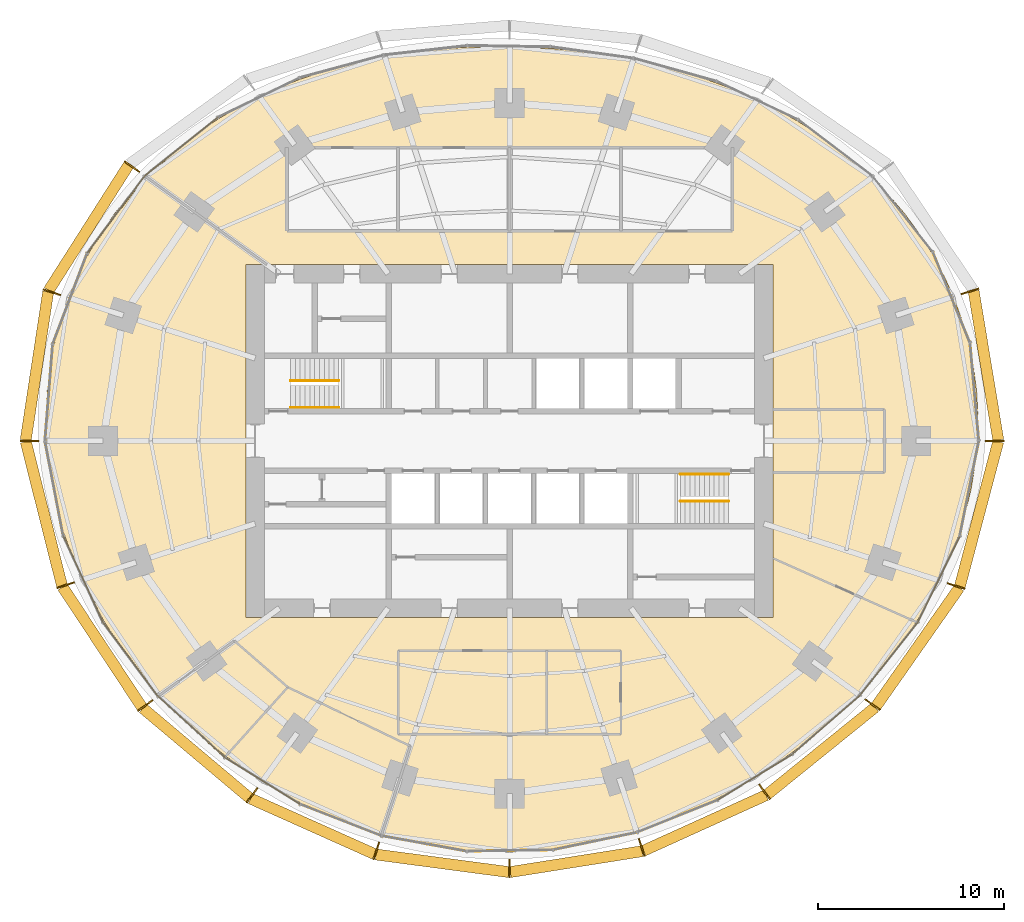
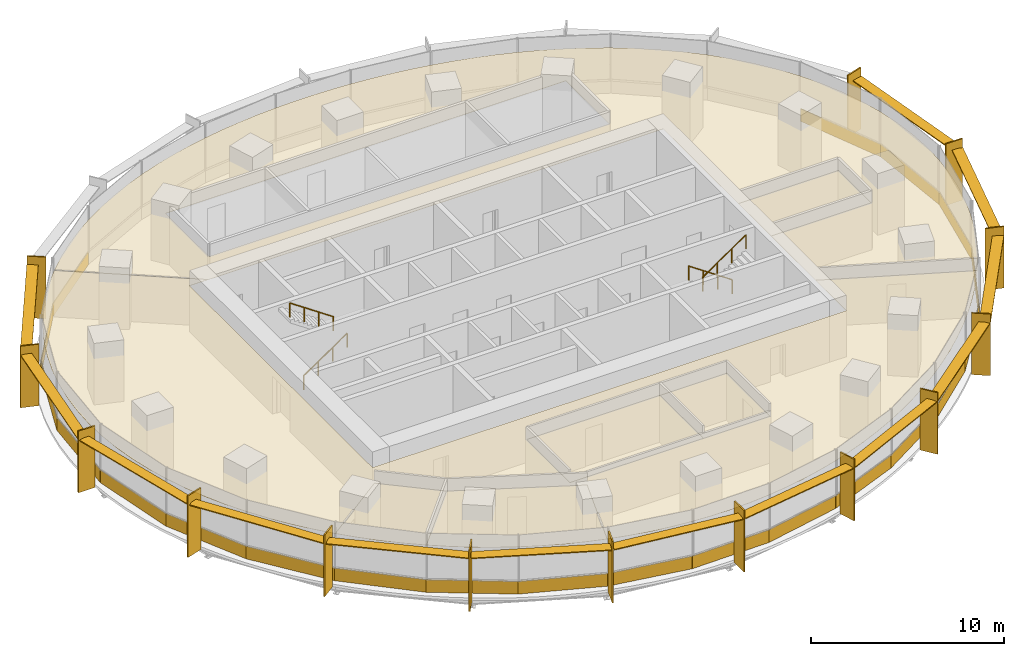
# One storey, part 13 of 14: 28 coverings, 27 shading devices, 4 railings.
"""IFC4 building model written with IfcOpenShell, lengths in metres."""

from ifc_helpers import new_model, si_unit, direction, frame, origin, origin_2d, place, context, subcontext, project, spatial, polyline, rectangle, circle, outline, extrude, material, layer, layer_set, type_object, element, save


model = new_model("IFC4")

# Units and contexts
model_context = context("Model", 3, precision=1e-05, world=origin(), true_north=direction((0.0, 1.0)))
body_context = subcontext(model_context, "Body", "Model", "MODEL_VIEW")
ifc_project = project(units=[si_unit("LENGTHUNIT", "METRE"), si_unit("AREAUNIT", "SQUARE_METRE"), si_unit("VOLUMEUNIT", "CUBIC_METRE"), si_unit("PLANEANGLEUNIT", "RADIAN"), si_unit("MASSUNIT", "GRAM", prefix="KILO")], contexts=[model_context])

# Site, building, storey
site_placement = place(None, origin())
site = spatial("IfcSite", under=ifc_project, at=site_placement, CompositionType="ELEMENT")
building_placement = place(site_placement, origin())
building = spatial("IfcBuilding", under=site, at=building_placement, Name="Marramba Exchange Tower", CompositionType="ELEMENT")
storey_placement = place(building_placement, frame((0.0, 0.0, 154.800048828125)))
storey = spatial("IfcBuildingStorey", under=building, at=storey_placement, Name="L37", CompositionType="ELEMENT", Elevation=154.800048828125)

# Shading devices
ifc_material_1 = material(Name="Aluminium blade, timber-look bronze finish", Category="wood")
ifc_layer_1 = layer(ifc_material_1, 0.080078125)
ifc_layer_set_1 = layer_set([ifc_layer_1], Name="Floor-edge blade 1000x80")
shading_device_type_1 = type_object("IfcShadingDeviceType", Name="Floor-edge blade 1000x80", PredefinedType="USERDEFINED", material=ifc_layer_set_1)
for number, where, z_axis, x_axis, name in (
    (1, (26.132080078125, 0.0, -0.159912109375), (0.0, 0.0, 1.0), (1.0, 0.0, 0.0), "Floor-edge blade FB1 L37 TC01"),
    (2, (24.798583984375, 8.0576171875, -0.159912109375), (0.0, 0.0, 1.0), (0.951056516295, 0.309016994375, 0.0), "Floor-edge blade FB1 L37 TC02"),
    (3, (-20.33642578125, 14.775390625, -0.159912109375), (0.0, 0.0, 1.0), (-0.809016994375, 0.587785252292, 0.0), "Floor-edge blade FB1 L37 TC09"),
    (4, (-24.653076171875, 8.01025390625, -0.159912109375), (0.0, 0.0, 1.0), (-0.951056516295, 0.309016994375, 0.0), "Floor-edge blade FB1 L37 TC10"),
    (5, (-25.867919921875, 0.0, -0.159912109375), (0.0, 0.0, 1.0), (-1.0, 0.0, 0.0), "Floor-edge blade FB1 L37 TC11"),
    (6, (-23.90673828125, -7.767822265625, -0.159912109375), (0.0, 0.0, 1.0), (-0.951056516295, -0.309016994375, 0.0), "Floor-edge blade FB1 L37 TC12"),
    (7, (-19.618408203125, -14.253662109375, -0.159912109375), (0.0, 0.0, 1.0), (-0.809016994375, -0.587785252292, 0.0), "Floor-edge blade FB1 L37 TC13"),
    (8, (-13.866943359375, -19.08642578125, -0.159912109375), (0.0, 0.0, 1.0), (-0.587785252292, -0.809016994375, 0.0), "Floor-edge blade FB1 L37 TC14"),
    (9, (-7.173828125, -22.078857421875, -0.159912109375), (0.0, 0.0, 1.0), (-0.309016994375, -0.951056516295, 0.0), "Floor-edge blade FB1 L37 TC15"),
    (10, (0.0, -23.02685546875, -0.159912109375), (0.0, 0.0, 1.0), (0.0, -1.0, 0.0), "Floor-edge blade FB1 L37 TC16"),
    (11, (7.115966796875, -21.900634765625, -0.159912109375), (0.0, 0.0, 1.0), (0.309016994375, -0.951056516295, 0.0), "Floor-edge blade FB1 L37 TC17"),
    (12, (13.733154296875, -18.902099609375, -0.159912109375), (0.0, 0.0, 1.0), (0.587785252292, -0.809016994375, 0.0), "Floor-edge blade FB1 L37 TC18"),
    (13, (19.555908203125, -14.208251953125, -0.159912109375), (0.0, 0.0, 1.0), (0.809016994375, -0.587785252292, 0.0), "Floor-edge blade FB1 L37 TC19"),
    (14, (24.052001953125, -7.81494140625, -0.159912109375), (0.0, 0.0, 1.0), (0.951056516295, -0.309016994375, 0.0), "Floor-edge blade FB1 L37 TC20"),
):
    element("IfcShadingDevice", number, at=place(storey_placement, frame(where, z_axis=z_axis, x_axis=x_axis)), inside=storey, type_object=shading_device_type_1, Name=name, ObjectType="FIN", PredefinedType="USERDEFINED", context=body_context, shape_type="SweptSolid", body=[
        extrude(rectangle(XDim=1.0, YDim=0.080078125, at=origin_2d()), origin(), (0.0, 0.0, 1.0), 3.89990234375),
    ])
ifc_material_2 = material(Name="Aluminium sunshade, bronze anodised", Category="aluminium")
ifc_layer_2 = layer(ifc_material_2, 0.06005859375)
ifc_layer_set_2 = layer_set([ifc_layer_2], Name="SUNSHADE blade 600x60")
shading_device_type_2 = type_object("IfcShadingDeviceType", Name="SUNSHADE blade 600x60", PredefinedType="USERDEFINED", material=ifc_layer_set_2)
shading_device_1_placement = place(storey_placement, frame((25.660400390625, 4.0595703125, 3.159912109375), z_axis=(0.0, 0.0, 1.0), x_axis=(-0.163227675764, 0.986588427798, 0.0)))
element("IfcShadingDevice", 15, at=shading_device_1_placement, inside=storey, type_object=shading_device_type_2, Name="Sunshade SS1 L37 bay 01", ObjectType="SUNSHADE", PredefinedType="USERDEFINED", context=body_context, shape_type="SweptSolid", body=[
    extrude(rectangle(XDim=8.149658203125, YDim=0.60009765625, at=origin_2d()), origin(), (0.0, 0.0, 1.0), 0.06005859375),
])
shading_device_2_placement = place(storey_placement, frame((-22.6708984375, 11.482421875, 3.159912109375), z_axis=(0.0, 0.0, 1.0), x_axis=(-0.537284770546, -0.843400898351, 0.0)))
element("IfcShadingDevice", 16, at=shading_device_2_placement, inside=storey, type_object=shading_device_type_2, Name="Sunshade SS1 L37 bay 09", ObjectType="SUNSHADE", PredefinedType="USERDEFINED", context=body_context, shape_type="SweptSolid", body=[
    extrude(rectangle(XDim=8.007080078125, YDim=0.60009765625, at=origin_2d()), origin(), (0.0, 0.0, 1.0), 0.06005859375),
])
shading_device_3_placement = place(storey_placement, frame((-25.455810546875, 4.0361328125, 3.159912109375), z_axis=(0.0, 0.0, 1.0), x_axis=(-0.14999307077, -0.988687047918, 0.0)))
element("IfcShadingDevice", 17, at=shading_device_3_placement, inside=storey, type_object=shading_device_type_2, Name="Sunshade SS1 L37 bay 10", ObjectType="SUNSHADE", PredefinedType="USERDEFINED", context=body_context, shape_type="SweptSolid", body=[
    extrude(rectangle(XDim=8.08447265625, YDim=0.60009765625, at=origin_2d()), origin(), (0.0, 0.0, 1.0), 0.06005859375),
])
shading_device_4_placement = place(storey_placement, frame((-25.08251953125, -3.914794921875, 3.159912109375), z_axis=(0.0, 0.0, 1.0), x_axis=(0.244116522902, -0.969745906537, 0.0)))
element("IfcShadingDevice", 18, at=shading_device_4_placement, inside=storey, type_object=shading_device_type_2, Name="Sunshade SS1 L37 bay 11", ObjectType="SUNSHADE", PredefinedType="USERDEFINED", context=body_context, shape_type="SweptSolid", body=[
    extrude(rectangle(XDim=7.993896484375, YDim=0.60009765625, at=origin_2d()), origin(), (0.0, 0.0, 1.0), 0.06005859375),
])
shading_device_5_placement = place(storey_placement, frame((-21.938720703125, -11.100341796875, 3.159912109375), z_axis=(0.0, 0.0, 1.0), x_axis=(0.550792342935, -0.834642315585, 0.0)))
element("IfcShadingDevice", 19, at=shading_device_5_placement, inside=storey, type_object=shading_device_type_2, Name="Sunshade SS1 L37 bay 12", ObjectType="SUNSHADE", PredefinedType="USERDEFINED", context=body_context, shape_type="SweptSolid", body=[
    extrude(rectangle(XDim=7.757568359375, YDim=0.60009765625, at=origin_2d()), origin(), (0.0, 0.0, 1.0), 0.06005859375),
])
shading_device_6_placement = place(storey_placement, frame((-16.88232421875, -16.8095703125, 3.159912109375), z_axis=(0.0, 0.0, 1.0), x_axis=(0.76513863304, -0.643865569998, 0.0)))
element("IfcShadingDevice", 20, at=shading_device_6_placement, inside=storey, type_object=shading_device_type_2, Name="Sunshade SS1 L37 bay 13", ObjectType="SUNSHADE", PredefinedType="USERDEFINED", context=body_context, shape_type="SweptSolid", body=[
    extrude(rectangle(XDim=7.49462890625, YDim=0.60009765625, at=origin_2d()), origin(), (0.0, 0.0, 1.0), 0.06005859375),
])
shading_device_7_placement = place(storey_placement, frame((-10.610107421875, -20.758544921875, 3.159912109375), z_axis=(0.0, 0.0, 1.0), x_axis=(0.912735880581, -0.408550134377, 0.0)))
element("IfcShadingDevice", 21, at=shading_device_7_placement, inside=storey, type_object=shading_device_type_2, Name="Sunshade SS1 L37 bay 14", ObjectType="SUNSHADE", PredefinedType="USERDEFINED", context=body_context, shape_type="SweptSolid", body=[
    extrude(rectangle(XDim=7.314208984375, YDim=0.60009765625, at=origin_2d()), origin(), (0.0, 0.0, 1.0), 0.06005859375),
])
shading_device_8_placement = place(storey_placement, frame((-3.617919921875, -22.748046875, 3.159912109375), z_axis=(0.0, 0.0, 1.0), x_axis=(0.991350478855, -0.131241106646, 0.0)))
element("IfcShadingDevice", 22, at=shading_device_8_placement, inside=storey, type_object=shading_device_type_2, Name="Sunshade SS1 L37 bay 15", ObjectType="SUNSHADE", PredefinedType="USERDEFINED", context=body_context, shape_type="SweptSolid", body=[
    extrude(rectangle(XDim=7.21875, YDim=0.60009765625, at=origin_2d()), origin(), (0.0, 0.0, 1.0), 0.06005859375),
])
shading_device_9_placement = place(storey_placement, frame((3.5888671875, -22.658935546875, 3.159912109375), z_axis=(0.0, 0.0, 1.0), x_axis=(0.987704817912, 0.15633039587, 0.0)))
element("IfcShadingDevice", 23, at=shading_device_9_placement, inside=storey, type_object=shading_device_type_2, Name="Sunshade SS1 L37 bay 16", ObjectType="SUNSHADE", PredefinedType="USERDEFINED", context=body_context, shape_type="SweptSolid", body=[
    extrude(rectangle(XDim=7.18701171875, YDim=0.60009765625, at=origin_2d()), origin(), (0.0, 0.0, 1.0), 0.06005859375),
])
shading_device_10_placement = place(storey_placement, frame((10.514404296875, -20.577392578125, 3.159912109375), z_axis=(0.0, 0.0, 1.0), x_axis=(0.910692240548, 0.413085515366, 0.0)))
element("IfcShadingDevice", 24, at=shading_device_10_placement, inside=storey, type_object=shading_device_type_2, Name="Sunshade SS1 L37 bay 17", ObjectType="SUNSHADE", PredefinedType="USERDEFINED", context=body_context, shape_type="SweptSolid", body=[
    extrude(rectangle(XDim=7.24755859375, YDim=0.60009765625, at=origin_2d()), origin(), (0.0, 0.0, 1.0), 0.06005859375),
])
shading_device_11_placement = place(storey_placement, frame((16.7841796875, -16.69482421875, 3.159912109375), z_axis=(0.0, 0.0, 1.0), x_axis=(0.777962439436, 0.628310785223, 0.0)))
element("IfcShadingDevice", 25, at=shading_device_11_placement, inside=storey, type_object=shading_device_type_2, Name="Sunshade SS1 L37 bay 18", ObjectType="SUNSHADE", PredefinedType="USERDEFINED", context=body_context, shape_type="SweptSolid", body=[
    extrude(rectangle(XDim=7.46142578125, YDim=0.60009765625, at=origin_2d()), origin(), (0.0, 0.0, 1.0), 0.06005859375),
])
shading_device_12_placement = place(storey_placement, frame((21.97998046875, -11.101318359375, 3.159912109375), z_axis=(0.0, 0.0, 1.0), x_axis=(0.574350885858, 0.818609222959, 0.0)))
element("IfcShadingDevice", 26, at=shading_device_12_placement, inside=storey, type_object=shading_device_type_2, Name="Sunshade SS1 L37 bay 19", ObjectType="SUNSHADE", PredefinedType="USERDEFINED", context=body_context, shape_type="SweptSolid", body=[
    extrude(rectangle(XDim=7.7978515625, YDim=0.60009765625, at=origin_2d()), origin(), (0.0, 0.0, 1.0), 0.06005859375),
])
shading_device_13_placement = place(storey_placement, frame((25.287109375, -3.9384765625, 3.159912109375), z_axis=(0.0, 0.0, 1.0), x_axis=(0.256422950151, 0.966564674833, 0.0)))
element("IfcShadingDevice", 27, at=shading_device_13_placement, inside=storey, type_object=shading_device_type_2, Name="Sunshade SS1 L37 bay 20", ObjectType="SUNSHADE", PredefinedType="USERDEFINED", context=body_context, shape_type="SweptSolid", body=[
    extrude(rectangle(XDim=8.0693359375, YDim=0.60009765625, at=origin_2d()), origin(), (0.0, 0.0, 1.0), 0.06005859375),
])

# Coverings
ifc_material_3 = material(Name="Aluminium spandrel panel, bronze anodised, insulated", Category="aluminium")
ifc_layer_3 = layer(ifc_material_3, 0.050048828125)
ifc_layer_set_3 = layer_set([ifc_layer_3], Name="Spandrel panel 800")
covering_type_1 = type_object("IfcCoveringType", Name="Spandrel panel 800", PredefinedType="CLADDING", material=ifc_layer_set_3)
covering_1_placement = place(storey_placement, frame((25.04541015625, 2.63671875, 0.0), z_axis=(0.0, 0.0, 1.0), x_axis=(-0.089412890131, 0.995994646109, 0.0)))
element("IfcCovering", 28, at=covering_1_placement, inside=storey, type_object=covering_type_1, Name="Spandrel panel SP1 L37 F01", PredefinedType="CLADDING", context=body_context, shape_type="SweptSolid", body=[
    extrude(rectangle(XDim=5.29443359375, YDim=0.050048828125, at=origin_2d()), origin(), (0.0, 0.0, 1.0), 0.800048828125),
])
covering_2_placement = place(storey_placement, frame((23.81201171875, 7.715576171875, 0.0), z_axis=(0.0, 0.0, 1.0), x_axis=(-0.377821185272, 0.925878583811, 0.0)))
element("IfcCovering", 29, at=covering_2_placement, inside=storey, type_object=covering_type_1, Name="Spandrel panel SP1 L37 F02", PredefinedType="CLADDING", context=body_context, shape_type="SweptSolid", body=[
    extrude(rectangle(XDim=5.27587890625, YDim=0.050048828125, at=origin_2d()), origin(), (0.0, 0.0, 1.0), 0.800048828125),
])
covering_3_placement = place(storey_placement, frame((-17.673095703125, 15.854736328125, 0.0), z_axis=(0.0, 0.0, 1.0), x_axis=(-0.781178328369, -0.624307952285, 0.0)))
element("IfcCovering", 30, at=covering_3_placement, inside=storey, type_object=covering_type_1, Name="Spandrel panel SP1 L37 F12", PredefinedType="CLADDING", context=body_context, shape_type="SweptSolid", body=[
    extrude(rectangle(XDim=5.058349609375, YDim=0.050048828125, at=origin_2d()), origin(), (0.0, 0.0, 1.0), 0.800048828125),
])
covering_4_placement = place(storey_placement, frame((-21.19580078125, 12.20068359375, 0.0), z_axis=(0.0, 0.0, 1.0), x_axis=(-0.597703998161, -0.801716864349, 0.0)))
element("IfcCovering", 31, at=covering_4_placement, inside=storey, type_object=covering_type_1, Name="Spandrel panel SP1 L37 F13", PredefinedType="CLADDING", context=body_context, shape_type="SweptSolid", body=[
    extrude(rectangle(XDim=5.17626953125, YDim=0.050048828125, at=origin_2d()), origin(), (0.0, 0.0, 1.0), 0.800048828125),
])
covering_5_placement = place(storey_placement, frame((-23.671875, 7.677490234375, 0.0), z_axis=(0.0, 0.0, 1.0), x_axis=(-0.354844476365, -0.934925343326, 0.0)))
element("IfcCovering", 32, at=covering_5_placement, inside=storey, type_object=covering_type_1, Name="Spandrel panel SP1 L37 F14", PredefinedType="CLADDING", context=body_context, shape_type="SweptSolid", body=[
    extrude(rectangle(XDim=5.2373046875, YDim=0.050048828125, at=origin_2d()), origin(), (0.0, 0.0, 1.0), 0.800048828125),
])
covering_6_placement = place(storey_placement, frame((-24.8095703125, 2.614501953125, 0.0), z_axis=(0.0, 0.0, 1.0), x_axis=(-0.079459700697, -0.996838079111, 0.0)))
element("IfcCovering", 33, at=covering_6_placement, inside=storey, type_object=covering_type_1, Name="Spandrel panel SP1 L37 F15", PredefinedType="CLADDING", context=body_context, shape_type="SweptSolid", body=[
    extrude(rectangle(XDim=5.245849609375, YDim=0.050048828125, at=origin_2d()), origin(), (0.0, 0.0, 1.0), 0.800048828125),
])
covering_7_placement = place(storey_placement, frame((-24.5283203125, -2.5546875, 0.0), z_axis=(0.0, 0.0, 1.0), x_axis=(0.188227222909, -0.982125507538, 0.0)))
element("IfcCovering", 34, at=covering_7_placement, inside=storey, type_object=covering_type_1, Name="Spandrel panel SP1 L37 F16", PredefinedType="CLADDING", context=body_context, shape_type="SweptSolid", body=[
    extrude(rectangle(XDim=5.20263671875, YDim=0.050048828125, at=origin_2d()), origin(), (0.0, 0.0, 1.0), 0.800048828125),
])
covering_8_placement = place(storey_placement, frame((-22.973876953125, -7.43212890625, 0.0), z_axis=(0.0, 0.0, 1.0), x_axis=(0.416737850896, -0.909026712275, 0.0)))
element("IfcCovering", 35, at=covering_8_placement, inside=storey, type_object=covering_type_1, Name="Spandrel panel SP1 L37 F17", PredefinedType="CLADDING", context=body_context, shape_type="SweptSolid", body=[
    extrude(rectangle(XDim=5.10986328125, YDim=0.050048828125, at=origin_2d()), origin(), (0.0, 0.0, 1.0), 0.800048828125),
])
covering_9_placement = place(storey_placement, frame((-20.419921875, -11.75439453125, 0.0), z_axis=(0.0, 0.0, 1.0), x_axis=(0.597304701232, -0.802014397555, 0.0)))
element("IfcCovering", 36, at=covering_9_placement, inside=storey, type_object=covering_type_1, Name="Spandrel panel SP1 L37 F18", PredefinedType="CLADDING", context=body_context, shape_type="SweptSolid", body=[
    extrude(rectangle(XDim=4.986572265625, YDim=0.050048828125, at=origin_2d()), origin(), (0.0, 0.0, 1.0), 0.800048828125),
])
covering_10_placement = place(storey_placement, frame((-17.135986328125, -15.39599609375, 0.0), z_axis=(0.0, 0.0, 1.0), x_axis=(0.737821889246, -0.674995451651, 0.0)))
element("IfcCovering", 37, at=covering_10_placement, inside=storey, type_object=covering_type_1, Name="Spandrel panel SP1 L37 F19", PredefinedType="CLADDING", context=body_context, shape_type="SweptSolid", body=[
    extrude(rectangle(XDim=4.865234375, YDim=0.050048828125, at=origin_2d()), origin(), (0.0, 0.0, 1.0), 0.800048828125),
])
covering_11_placement = place(storey_placement, frame((-13.31787109375, -18.300537109375, 0.0), z_axis=(0.0, 0.0, 1.0), x_axis=(0.848354599309, -0.529428440708, 0.0)))
element("IfcCovering", 38, at=covering_11_placement, inside=storey, type_object=covering_type_1, Name="Spandrel panel SP1 L37 F20", PredefinedType="CLADDING", context=body_context, shape_type="SweptSolid", body=[
    extrude(rectangle(XDim=4.76953125, YDim=0.050048828125, at=origin_2d()), origin(), (0.0, 0.0, 1.0), 0.800048828125),
])
covering_12_placement = place(storey_placement, frame((-9.10302734375, -20.416748046875, 0.0), z_axis=(0.0, 0.0, 1.0), x_axis=(0.931818387481, -0.362924913381, 0.0)))
element("IfcCovering", 39, at=covering_12_placement, inside=storey, type_object=covering_type_1, Name="Spandrel panel SP1 L37 F21", PredefinedType="CLADDING", context=body_context, shape_type="SweptSolid", body=[
    extrude(rectangle(XDim=4.704345703125, YDim=0.050048828125, at=origin_2d()), origin(), (0.0, 0.0, 1.0), 0.800048828125),
])
covering_13_placement = place(storey_placement, frame((-4.616943359375, -21.685302734375, 0.0), z_axis=(0.0, 0.0, 1.0), x_axis=(0.984031866928, -0.177992373069, 0.0)))
element("IfcCovering", 40, at=covering_13_placement, inside=storey, type_object=covering_type_1, Name="Spandrel panel SP1 L37 F22", PredefinedType="CLADDING", context=body_context, shape_type="SweptSolid", body=[
    extrude(rectangle(XDim=4.662841796875, YDim=0.050048828125, at=origin_2d()), origin(), (0.0, 0.0, 1.0), 0.800048828125),
])
covering_14_placement = place(storey_placement, frame((-0.003662109375, -22.065185546875, 0.0), z_axis=(0.0, 0.0, 1.0), x_axis=(0.999884797651, 0.015178650325, 0.0)))
element("IfcCovering", 41, at=covering_14_placement, inside=storey, type_object=covering_type_1, Name="Spandrel panel SP1 L37 F23", PredefinedType="CLADDING", context=body_context, shape_type="SweptSolid", body=[
    extrude(rectangle(XDim=4.638916015625, YDim=0.050048828125, at=origin_2d()), origin(), (0.0, 0.0, 1.0), 0.800048828125),
])
covering_15_placement = place(storey_placement, frame((4.58447265625, -21.56103515625, 0.0), z_axis=(0.0, 0.0, 1.0), x_axis=(0.979310200528, 0.202364846604, 0.0)))
element("IfcCovering", 42, at=covering_15_placement, inside=storey, type_object=covering_type_1, Name="Spandrel panel SP1 L37 F24", PredefinedType="CLADDING", context=body_context, shape_type="SweptSolid", body=[
    extrude(rectangle(XDim=4.6337890625, YDim=0.050048828125, at=origin_2d()), origin(), (0.0, 0.0, 1.0), 0.800048828125),
])
covering_16_placement = place(storey_placement, frame((9.014892578125, -20.225341796875, 0.0), z_axis=(0.0, 0.0, 1.0), x_axis=(0.928148914987, 0.372209069755, 0.0)))
element("IfcCovering", 43, at=covering_16_placement, inside=storey, type_object=covering_type_1, Name="Spandrel panel SP1 L37 F25", PredefinedType="CLADDING", context=body_context, shape_type="SweptSolid", body=[
    extrude(rectangle(XDim=4.657958984375, YDim=0.050048828125, at=origin_2d()), origin(), (0.0, 0.0, 1.0), 0.800048828125),
])
covering_17_placement = place(storey_placement, frame((13.193115234375, -18.125244140625, 0.0), z_axis=(0.0, 0.0, 1.0), x_axis=(0.853109118827, 0.521732528576, 0.0)))
element("IfcCovering", 44, at=covering_17_placement, inside=storey, type_object=covering_type_1, Name="Spandrel panel SP1 L37 F26", PredefinedType="CLADDING", context=body_context, shape_type="SweptSolid", body=[
    extrude(rectangle(XDim=4.7275390625, YDim=0.050048828125, at=origin_2d()), origin(), (0.0, 0.0, 1.0), 0.800048828125),
])
covering_18_placement = place(storey_placement, frame((17.038818359375, -15.30029296875, 0.0), z_axis=(0.0, 0.0, 1.0), x_axis=(0.754385510875, 0.656431642277, 0.0)))
element("IfcCovering", 45, at=covering_18_placement, inside=storey, type_object=covering_type_1, Name="Spandrel panel SP1 L37 F27", PredefinedType="CLADDING", context=body_context, shape_type="SweptSolid", body=[
    extrude(rectangle(XDim=4.849609375, YDim=0.050048828125, at=origin_2d()), origin(), (0.0, 0.0, 1.0), 0.800048828125),
])
covering_19_placement = place(storey_placement, frame((20.425048828125, -11.747802734375, 0.0), z_axis=(0.0, 0.0, 1.0), x_axis=(0.621807470279, 0.783170141097, 0.0)))
element("IfcCovering", 46, at=covering_19_placement, inside=storey, type_object=covering_type_1, Name="Spandrel panel SP1 L37 F28", PredefinedType="CLADDING", context=body_context, shape_type="SweptSolid", body=[
    extrude(rectangle(XDim=5.00732421875, YDim=0.050048828125, at=origin_2d()), origin(), (0.0, 0.0, 1.0), 0.800048828125),
])
covering_20_placement = place(storey_placement, frame((23.114013671875, -7.47021484375, 0.0), z_axis=(0.0, 0.0, 1.0), x_axis=(0.439086346903, 0.898444867515, 0.0)))
element("IfcCovering", 47, at=covering_20_placement, inside=storey, type_object=covering_type_1, Name="Spandrel panel SP1 L37 F29", PredefinedType="CLADDING", context=body_context, shape_type="SweptSolid", body=[
    extrude(rectangle(XDim=5.156982421875, YDim=0.050048828125, at=origin_2d()), origin(), (0.0, 0.0, 1.0), 0.800048828125),
])
covering_21_placement = place(storey_placement, frame((24.76416015625, -2.576904296875, 0.0), z_axis=(0.0, 0.0, 1.0), x_axis=(0.197048514193, 0.980393738788, 0.0)))
element("IfcCovering", 48, at=covering_21_placement, inside=storey, type_object=covering_type_1, Name="Spandrel panel SP1 L37 F30", PredefinedType="CLADDING", context=body_context, shape_type="SweptSolid", body=[
    extrude(rectangle(XDim=5.2568359375, YDim=0.050048828125, at=origin_2d()), origin(), (0.0, 0.0, 1.0), 0.800048828125),
])

# Railings
ifc_material_4 = material(Name="Stainless steel handrail", Category="steel")
railing_type = type_object("IfcRailingType", Name="Stair handrail 900", PredefinedType="HANDRAIL", material=ifc_material_4)
railing_1_placement = place(storey_placement, frame((-11.800048828125, 1.800048828125, 0.17724609375)))
element("IfcRailing", 49, at=railing_1_placement, inside=storey, type_object=railing_type, Name="Handrail HR1 ST1 L37 flight 1", PredefinedType="HANDRAIL", context=body_context, shape_type="SweptSolid", body=[
    extrude(circle(Radius=0.02392578125, at=origin_2d()), frame((0.0, 0.0, 0.8759765625), z_axis=(0.826240473404, 0.0, 0.563317565952), x_axis=(0.0, 1.0, 0.0)), (0.0, 0.0, 1.0), 3.14697265625),
    extrude(circle(Radius=0.02099609375, at=origin_2d()), origin(), (0.0, 0.0, 1.0), 0.851806640625),
    extrude(circle(Radius=0.02099609375, at=origin_2d()), frame((0.86669921875, 0.0, 0.5908203125)), (0.0, 0.0, 1.0), 0.851806640625),
    extrude(circle(Radius=0.02099609375, at=origin_2d()), frame((1.7333984375, 0.0, 1.181884765625)), (0.0, 0.0, 1.0), 0.851806640625),
    extrude(circle(Radius=0.02099609375, at=origin_2d()), frame((2.60009765625, 0.0, 1.772705078125)), (0.0, 0.0, 1.0), 0.851806640625),
])
for number, where, name in (
    (50, (-9.199951171875, 3.25, 2.127197265625), "Handrail HR1 ST1 L37 flight 2"),
    (51, (11.800048828125, -1.800048828125, 0.17724609375), "Handrail HR1 ST2 L37 flight 1"),
):
    element("IfcRailing", number, at=place(storey_placement, frame(where)), inside=storey, type_object=railing_type, Name=name, PredefinedType="HANDRAIL", context=body_context, shape_type="SweptSolid", body=[
        extrude(circle(Radius=0.02392578125, at=origin_2d()), frame((0.0, 0.0, 0.8759765625), z_axis=(-0.826240473404, 0.0, 0.563317565952), x_axis=(0.0, -1.0, 0.0)), (0.0, 0.0, 1.0), 3.14697265625),
        extrude(circle(Radius=0.02099609375, at=origin_2d()), origin(), (0.0, 0.0, 1.0), 0.851806640625),
        extrude(circle(Radius=0.02099609375, at=origin_2d()), frame((-0.86669921875, 0.0, 0.5908203125)), (0.0, 0.0, 1.0), 0.851806640625),
        extrude(circle(Radius=0.02099609375, at=origin_2d()), frame((-1.7333984375, 0.0, 1.181884765625)), (0.0, 0.0, 1.0), 0.851806640625),
        extrude(circle(Radius=0.02099609375, at=origin_2d()), frame((-2.60009765625, 0.0, 1.772705078125)), (0.0, 0.0, 1.0), 0.851806640625),
    ])
railing_2_placement = place(storey_placement, frame((9.199951171875, -3.25, 2.127197265625)))
element("IfcRailing", 52, at=railing_2_placement, inside=storey, type_object=railing_type, Name="Handrail HR1 ST2 L37 flight 2", PredefinedType="HANDRAIL", context=body_context, shape_type="SweptSolid", body=[
    extrude(circle(Radius=0.02392578125, at=origin_2d()), frame((0.0, 0.0, 0.8759765625), z_axis=(0.826240473404, 0.0, 0.563317565952), x_axis=(0.0, 1.0, 0.0)), (0.0, 0.0, 1.0), 3.14697265625),
    extrude(circle(Radius=0.02099609375, at=origin_2d()), origin(), (0.0, 0.0, 1.0), 0.851806640625),
    extrude(circle(Radius=0.02099609375, at=origin_2d()), frame((0.86669921875, 0.0, 0.5908203125)), (0.0, 0.0, 1.0), 0.851806640625),
    extrude(circle(Radius=0.02099609375, at=origin_2d()), frame((1.7333984375, 0.0, 1.181884765625)), (0.0, 0.0, 1.0), 0.851806640625),
    extrude(circle(Radius=0.02099609375, at=origin_2d()), frame((2.60009765625, 0.0, 1.772705078125)), (0.0, 0.0, 1.0), 0.851806640625),
])

# Coverings
ifc_material_5 = material(Name="Mineral fibre ceiling tiles", Category="gypsum")
ifc_layer_4 = layer(ifc_material_5, 0.02001953125)
ifc_layer_set_4 = layer_set([ifc_layer_4], Name="Suspended ceiling 20")
covering_type_2 = type_object("IfcCoveringType", Name="Suspended ceiling 20", PredefinedType="CEILING", material=ifc_layer_set_4)
covering_22_placement = place(storey_placement, frame((0.0, 0.0, 2.89990234375)))
element("IfcCovering", 53, at=covering_22_placement, inside=storey, type_object=covering_type_2, Name="Ceiling CL1 L37 Index Services Office", PredefinedType="CEILING", context=body_context, shape_type="SweptSolid", body=[
    extrude(outline(polyline([(-14.199951171875, -9.5), (14.199951171875, -9.5), (14.199951171875, -6.322265625), (21.90869140625, -9.75439453125), (21.197509765625, -10.80078125), (20.439697265625, -11.80078125), (19.64013671875, -12.75439453125), (18.803466796875, -13.66162109375), (17.93359375, -14.5224609375), (17.033935546875, -15.33740234375), (16.107421875, -16.107421875), (15.156005859375, -16.83251953125), (14.181884765625, -17.51318359375), (13.1865234375, -18.14990234375), (12.171142578125, -18.741943359375), (11.13671875, -19.289306640625), (10.083984375, -19.791259765625), (9.0146484375, -20.2470703125), (7.928955078125, -20.65576171875), (6.82861328125, -21.01611328125), (5.714599609375, -21.3271484375), (4.58837890625, -21.587158203125), (3.4521484375, -21.79541015625), (2.30712890625, -21.950439453125), (1.15576171875, -22.05126953125), (0.0, -22.096923828125), (-1.157470703125, -22.0869140625), (-2.314453125, -22.020751953125), (-3.468505859375, -21.898193359375), (-4.61669921875, -21.719482421875), (-5.7568359375, -21.484619140625), (-6.886474609375, -21.1943359375), (-5.34130859375, -16.439208984375), (-11.94189453125, -13.2626953125), (-14.82080078125, -10.76806640625), (-18.865966796875, -13.706787109375), (-19.673095703125, -12.77587890625), (-20.439697265625, -11.80078125), (-21.162109375, -10.78271484375), (-21.836181640625, -9.72216796875), (-22.457763671875, -8.62060546875), (-23.022216796875, -7.48046875), (-23.52490234375, -6.303466796875), (-23.96044921875, -5.093017578125), (-24.32421875, -3.8525390625), (-24.611083984375, -2.586669921875), (-24.81689453125, -1.300537109375), (-24.93798828125, 0.0), (-24.970947265625, 1.30859375), (-24.913330078125, 2.618408203125), (-24.76416015625, 3.92236328125), (-24.52294921875, 5.21240234375), (-24.1904296875, 6.481689453125), (-23.768798828125, 7.722900390625), (-23.260498046875, 8.928955078125), (-22.669677734375, 10.09326171875), (-22.0009765625, 11.2099609375), (-21.259765625, 12.2744140625), (-20.451904296875, 13.28173828125), (-19.583984375, 14.228759765625), (-13.07568359375, 9.5), (-14.199951171875, 9.5), (-14.199951171875, -9.5)]), holes=[polyline([(-6.0, -15.800048828125), (2.0, -15.800048828125), (6.0, -15.800048828125), (6.0, -11.300048828125), (2.0, -11.300048828125), (-6.0, -11.300048828125), (-6.0, -15.800048828125)])]), origin(), (0.0, 0.0, 1.0), 0.02001953125),
])
covering_23_placement = place(storey_placement, frame((0.0, 0.0, 2.89990234375)))
element("IfcCovering", 54, at=covering_23_placement, inside=storey, type_object=covering_type_2, Name="Ceiling CL1 L37 Market Data Office", PredefinedType="CEILING", context=body_context, shape_type="SweptSolid", body=[
    extrude(outline(polyline([(14.199951171875, -1.699951171875), (20.199951171875, -1.699951171875), (20.199951171875, 1.699951171875), (14.199951171875, 1.699951171875), (14.199951171875, 9.5), (-13.07568359375, 9.5), (-19.583984375, 14.228759765625), (-18.66259765625, 15.11279296875), (-17.6943359375, 15.93212890625), (-16.685791015625, 16.685791015625), (-15.643798828125, 17.374267578125), (-14.57421875, 17.99755859375), (-13.482666015625, 18.55712890625), (-12.37451171875, 19.05517578125), (-11.2548828125, 19.493896484375), (-10.127197265625, 19.875732421875), (-8.995361328125, 20.203857421875), (-7.862060546875, 20.4814453125), (-6.7294921875, 20.711181640625), (-5.59912109375, 20.896484375), (-4.47216796875, 21.0400390625), (-3.34912109375, 21.14453125), (-2.2294921875, 21.212158203125), (-1.11328125, 21.244384765625), (0.0, 21.2431640625), (1.111572265625, 21.208740234375), (2.22216796875, 21.1416015625), (3.332763671875, 21.041748046875), (4.444091796875, 20.907958984375), (5.556884765625, 20.739013671875), (6.671630859375, 20.533203125), (7.787841796875, 20.287841796875), (8.905029296875, 20.0009765625), (10.02197265625, 19.6689453125), (11.13671875, 19.289306640625), (12.24658203125, 18.8583984375), (13.348876953125, 18.373046875), (14.43896484375, 17.830810546875), (15.512451171875, 17.228271484375), (16.563720703125, 16.563720703125), (17.5869140625, 15.835205078125), (18.5751953125, 15.041748046875), (19.521484375, 14.18310546875), (20.4189453125, 13.26025390625), (21.259765625, 12.2744140625), (22.03662109375, 11.228271484375), (22.7421875, 10.12548828125), (23.3701171875, 8.970947265625), (23.9140625, 7.77001953125), (24.368896484375, 6.529541015625), (24.73046875, 5.256591796875), (24.99560546875, 3.958984375), (25.16259765625, 2.644775390625), (25.231201171875, 1.322265625), (25.201904296875, 0.0), (25.077392578125, -1.314208984375), (24.8603515625, -2.61279296875), (24.555419921875, -3.88916015625), (24.16796875, -5.136962890625), (23.703125, -6.351318359375), (23.16748046875, -7.527587890625), (22.5673828125, -8.662841796875), (21.90869140625, -9.75439453125), (19.759033203125, -8.79736328125), (14.199951171875, -6.322265625), (14.199951171875, -1.699951171875)]), holes=[polyline([(-12.0, 11.300048828125), (-6.0, 11.300048828125), (0.0, 11.300048828125), (6.0, 11.300048828125), (12.0, 11.300048828125), (12.0, 15.800048828125), (6.0, 15.800048828125), (0.0, 15.800048828125), (-6.0, 15.800048828125), (-12.0, 15.800048828125), (-12.0, 11.300048828125)])]), origin(), (0.0, 0.0, 1.0), 0.02001953125),
])
covering_24_placement = place(storey_placement, frame((0.0, 0.0, 2.89990234375)))
element("IfcCovering", 55, at=covering_24_placement, inside=storey, type_object=covering_type_2, Name="Ceiling CL1 L37 Corridor", PredefinedType="CEILING", context=body_context, shape_type="SweptSolid", body=[
    extrude(outline(polyline([(14.199951171875, -1.699951171875), (14.199951171875, 1.699951171875), (20.199951171875, 1.699951171875), (20.199951171875, -1.699951171875), (14.199951171875, -1.699951171875)])), origin(), (0.0, 0.0, 1.0), 0.02001953125),
])
covering_25_placement = place(storey_placement, frame((0.0, 0.0, 2.89990234375)))
element("IfcCovering", 56, at=covering_25_placement, inside=storey, type_object=covering_type_2, Name="Ceiling CL1 L37 Office 1", PredefinedType="CEILING", context=body_context, shape_type="SweptSolid", body=[
    extrude(outline(polyline([(-15.601318359375, -16.72900390625), (-16.229736328125, -16.229736328125), (-17.1416015625, -15.434326171875), (-18.021240234375, -14.59326171875), (-18.23583984375, -14.3681640625), (-18.865966796875, -13.706787109375), (-14.82080078125, -10.76806640625), (-11.94189453125, -13.2626953125), (-15.28759765625, -16.978515625), (-15.601318359375, -16.72900390625)])), origin(), (0.0, 0.0, 1.0), 0.02001953125),
])
covering_26_placement = place(storey_placement, frame((0.0, 0.0, 2.89990234375)))
element("IfcCovering", 57, at=covering_26_placement, inside=storey, type_object=covering_type_2, Name="Ceiling CL1 L37 Office 2", PredefinedType="CEILING", context=body_context, shape_type="SweptSolid", body=[
    extrude(outline(polyline([(-6.886474609375, -21.1943359375), (-7.502685546875, -21.00390625), (-8.00341796875, -20.84912109375), (-9.10498046875, -20.4501953125), (-10.055419921875, -20.0537109375), (-10.189453125, -19.997802734375), (-11.2548828125, -19.493896484375), (-12.299072265625, -18.938720703125), (-12.6591796875, -18.7255859375), (-13.3203125, -18.333984375), (-14.317138671875, -17.68017578125), (-14.728515625, -17.3828125), (-15.28759765625, -16.978515625), (-11.94189453125, -13.2626953125), (-5.34130859375, -16.439208984375), (-6.886474609375, -21.1943359375), (-6.886474609375, -21.1943359375)])), origin(), (0.0, 0.0, 1.0), 0.02001953125),
])
covering_27_placement = place(storey_placement, frame((0.0, 0.0, 2.89990234375)))
element("IfcCovering", 58, at=covering_27_placement, inside=storey, type_object=covering_type_2, Name="Ceiling CL1 L37 Pantry", PredefinedType="CEILING", context=body_context, shape_type="SweptSolid", body=[
    extrude(outline(polyline([(2.0, -15.800048828125), (-6.0, -15.800048828125), (-6.0, -11.300048828125), (2.0, -11.300048828125), (2.0, -15.800048828125)])), origin(), (0.0, 0.0, 1.0), 0.02001953125),
])
covering_28_placement = place(storey_placement, frame((0.0, 0.0, 2.89990234375)))
element("IfcCovering", 59, at=covering_28_placement, inside=storey, type_object=covering_type_2, Name="Ceiling CL1 L37 Print Room", PredefinedType="CEILING", context=body_context, shape_type="SweptSolid", body=[
    extrude(outline(polyline([(6.0, -15.800048828125), (2.0, -15.800048828125), (2.0, -11.300048828125), (6.0, -11.300048828125), (6.0, -15.800048828125)])), origin(), (0.0, 0.0, 1.0), 0.02001953125),
])

save(model, "model.ifc")
